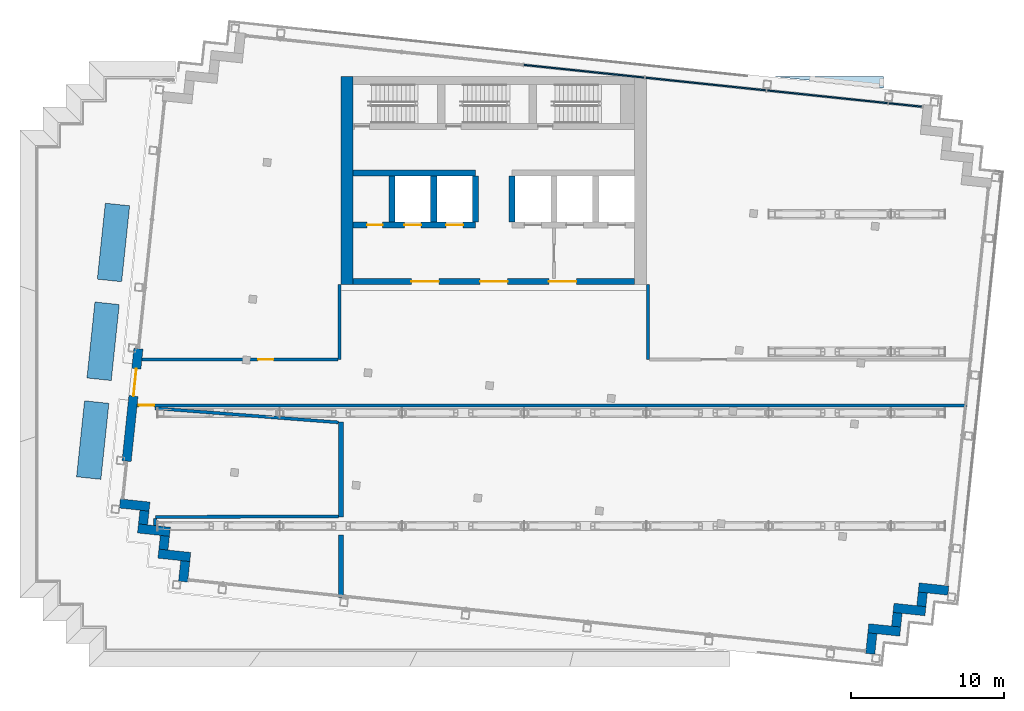
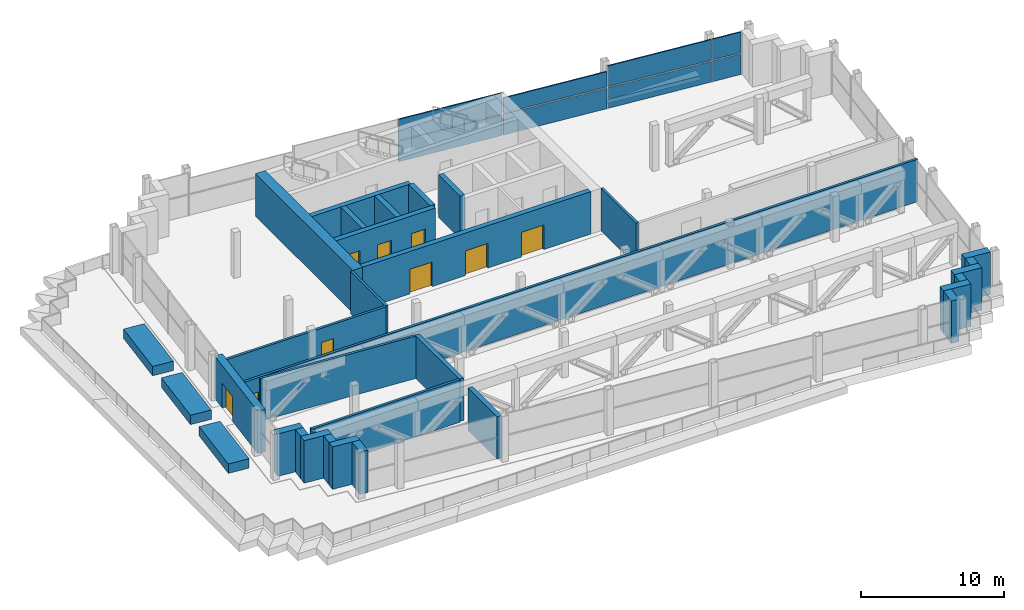
# One storey, part 7 of 18: 33 walls, 9 doors, 8 plates, 1 slab, 9 openings, 1 element without a shape of its own.
"""IFC4 building model written with IfcOpenShell, lengths in metres."""

from ifc_helpers import new_model, si_unit, direction, frame, frame_2d, origin, origin_2d, place, context, subcontext, project, spatial, polyline, rectangle, outline, extrude, material, layer, layer_set, type_object, element, fill, aggregate, save


model = new_model("IFC4")

# Units and contexts
model_context = context("Model", 3, precision=1e-05, world=origin(), true_north=direction((0.0, 1.0)))
body_context = subcontext(model_context, "Body", "Model", "MODEL_VIEW")
ifc_project = project(units=[si_unit("LENGTHUNIT", "METRE"), si_unit("AREAUNIT", "SQUARE_METRE"), si_unit("VOLUMEUNIT", "CUBIC_METRE"), si_unit("PLANEANGLEUNIT", "RADIAN"), si_unit("MASSUNIT", "GRAM", prefix="KILO")], contexts=[model_context])

# Site, building, storey
site_placement = place(None, origin())
site = spatial("IfcSite", under=ifc_project, at=site_placement, CompositionType="ELEMENT")
building_placement = place(site_placement, origin())
building = spatial("IfcBuilding", under=site, at=building_placement, Name="Vidyagriha Tower", CompositionType="ELEMENT")
storey_placement = place(building_placement, frame((0.0, 0.0, 249.199951171875)))
storey = spatial("IfcBuildingStorey", under=building, at=storey_placement, Name="L64", CompositionType="ELEMENT", Elevation=249.199951171875)

# Curtain wall, plates
ifc_material_1 = material(Name="Aluminium and glass curtain wall", Category="aluminium")
curtain_wall_type = type_object("IfcCurtainWallType", Name="Plant louvre wall", PredefinedType="USERDEFINED", material=ifc_material_1)
curtain_wall_placement = place(storey_placement, origin())
curtain_wall = element("IfcCurtainWall", 1, at=curtain_wall_placement, inside=storey, type_object=curtain_wall_type, Name="CW7 plant louvre wall", ObjectType="STICK GLAZING", PredefinedType="USERDEFINED")
ifc_material_2 = material(Name="Perforated fired clay brick jaali screen", Category="masonry")
ifc_layer_1 = layer(ifc_material_2, 0.10009765625)
ifc_layer_set_1 = layer_set([ifc_layer_1], Name="Perforated fired clay brick jaali screen")
plate_type = type_object("IfcPlateType", Name="Perforated brick jaali screen panel", PredefinedType="CURTAIN_PANEL", material=ifc_layer_set_1)
plate_1_placement = place(storey_placement, frame((26.920166015625, 18.146240234375, 0.0), z_axis=(0.0, 0.0, 1.0), x_axis=(-0.994521854435, 0.104528852722, 0.0)))
plate_1 = element("IfcPlate", 2, at=plate_1_placement, type_object=plate_type, Name="CW7 panel 1.1", PredefinedType="CURTAIN_PANEL", context=body_context, shape_type="SweptSolid", body=[
    extrude(rectangle(XDim=2.179931640625, YDim=0.10009765625, at=origin_2d()), origin(), (0.0, 0.0, 1.0), 1.760009765625),
])
plate_2_placement = place(storey_placement, frame((26.920166015625, 18.146240234375, 1.85986328125), z_axis=(0.0, 0.0, 1.0), x_axis=(-0.994521854435, 0.104528852722, 0.0)))
plate_2 = element("IfcPlate", 3, at=plate_2_placement, type_object=plate_type, Name="CW7 panel 1.2", PredefinedType="CURTAIN_PANEL", context=body_context, shape_type="SweptSolid", body=[
    extrude(rectangle(XDim=2.179931640625, YDim=0.10009765625, at=origin_2d()), origin(), (0.0, 0.0, 1.0), 1.760009765625),
])
plate_3_placement = place(storey_placement, frame((21.818359375, 18.6826171875, 0.0), z_axis=(0.0, 0.0, 1.0), x_axis=(-0.994521854435, 0.104528852722, 0.0)))
plate_3 = element("IfcPlate", 4, at=plate_3_placement, type_object=plate_type, Name="CW7 panel 2.1", PredefinedType="CURTAIN_PANEL", context=body_context, shape_type="SweptSolid", body=[
    extrude(rectangle(XDim=7.919921875, YDim=0.10009765625, at=origin_2d()), origin(), (0.0, 0.0, 1.0), 1.760009765625),
])
plate_4_placement = place(storey_placement, frame((21.818359375, 18.6826171875, 1.85986328125), z_axis=(0.0, 0.0, 1.0), x_axis=(-0.994521854435, 0.104528852722, 0.0)))
plate_4 = element("IfcPlate", 5, at=plate_4_placement, type_object=plate_type, Name="CW7 panel 2.2", PredefinedType="CURTAIN_PANEL", context=body_context, shape_type="SweptSolid", body=[
    extrude(rectangle(XDim=7.919921875, YDim=0.10009765625, at=origin_2d()), origin(), (0.0, 0.0, 1.0), 1.760009765625),
])
plate_5_placement = place(storey_placement, frame((13.862060546875, 19.518798828125, 0.0), z_axis=(0.0, 0.0, 1.0), x_axis=(-0.994521854435, 0.104528852722, 0.0)))
plate_5 = element("IfcPlate", 6, at=plate_5_placement, type_object=plate_type, Name="CW7 panel 3.1", PredefinedType="CURTAIN_PANEL", context=body_context, shape_type="SweptSolid", body=[
    extrude(rectangle(XDim=7.919921875, YDim=0.10009765625, at=origin_2d()), origin(), (0.0, 0.0, 1.0), 1.760009765625),
])
plate_6_placement = place(storey_placement, frame((13.862060546875, 19.518798828125, 1.8603515625), z_axis=(0.0, 0.0, 1.0), x_axis=(-0.994521854435, 0.104528852722, 0.0)))
plate_6 = element("IfcPlate", 7, at=plate_6_placement, type_object=plate_type, Name="CW7 panel 3.2", PredefinedType="CURTAIN_PANEL", context=body_context, shape_type="SweptSolid", body=[
    extrude(rectangle(XDim=7.919921875, YDim=0.10009765625, at=origin_2d()), origin(), (0.0, 0.0, 1.0), 1.297607421875),
])
plate_7_placement = place(storey_placement, frame((5.906005859375, 20.35498046875, 0.0), z_axis=(0.0, 0.0, 1.0), x_axis=(-0.994521854435, 0.104528852722, 0.0)))
plate_7 = element("IfcPlate", 8, at=plate_7_placement, type_object=plate_type, Name="CW7 panel 4.1", PredefinedType="CURTAIN_PANEL", context=body_context, shape_type="SweptSolid", body=[
    extrude(rectangle(XDim=7.919921875, YDim=0.10009765625, at=origin_2d()), origin(), (0.0, 0.0, 1.0), 1.760009765625),
])
plate_8_placement = place(storey_placement, frame((5.906005859375, 20.35498046875, 1.85986328125), z_axis=(0.0, 0.0, 1.0), x_axis=(-0.994521854435, 0.104528852722, 0.0)))
plate_8 = element("IfcPlate", 9, at=plate_8_placement, type_object=plate_type, Name="CW7 panel 4.2", PredefinedType="CURTAIN_PANEL", context=body_context, shape_type="SweptSolid", body=[
    extrude(rectangle(XDim=7.919921875, YDim=0.10009765625, at=origin_2d()), origin(), (0.0, 0.0, 1.0), 1.760009765625),
])
aggregate(curtain_wall, [plate_1, plate_2, plate_3, plate_4, plate_5, plate_6, plate_7, plate_8])

# Slab
ifc_material_3 = material(Name="Concrete C50/60", Category="concrete")
ifc_layer_2 = layer(ifc_material_3, 0.35009765625)
ifc_layer_set_2 = layer_set([ifc_layer_2], Name="Concrete C50/60")
slab_type = type_object("IfcSlabType", Name="Post-tensioned terrace slab 350", PredefinedType="FLOOR", material=ifc_layer_set_2)
slab_placement = place(storey_placement, frame((0.0, 0.0, -0.349853515625)))
element("IfcSlab", 10, at=slab_placement, inside=storey, type_object=slab_type, Name="st-terrace-TR-B6-2", PredefinedType="FLOOR", context=body_context, shape_type="SweptSolid", body=[
    extrude(outline(polyline([(25.5, 19.250732421875), (18.371337890625, 20.0), (25.5, 20.0), (25.5, 19.250732421875)])), origin(), (0.0, 0.0, 1.0), 0.349853515625),
])

# Walls
ifc_material_4 = material(Name="Precast concrete C40/50 with brick facing", Category="concrete")
ifc_layer_3 = layer(ifc_material_4, 1.60009765625)
ifc_layer_set_3 = layer_set([ifc_layer_3], Name="Precast concrete C40/50 with brick facing")
wall_type_1 = type_object("IfcWallType", Name="Brick planter box 1600", PredefinedType="STANDARD", material=ifc_layer_set_3)
wall_1_placement = place(storey_placement, frame((-24.622314453125, 11.63818359375, 0.0), z_axis=(0.0, 0.0, 1.0), x_axis=(-0.104544982588, -0.994520158979, 0.0)))
element("IfcWall", 11, at=wall_1_placement, inside=storey, type_object=wall_type_1, Name="PLANTER L64 1", PredefinedType="STANDARD", context=body_context, shape_type="SweptSolid", body=[
    extrude(rectangle(XDim=4.999755859375, YDim=1.60009765625, at=frame_2d((2.5, 0.0))), origin(), (0.0, 0.0, 1.0), 0.800048828125),
])
for number, where, z_axis, x_axis, name in (
    (12, (-25.302001953125, 5.174072265625, 0.0), (0.0, 0.0, 1.0), (-0.104491611519, -0.994525767953, 0.0), "PLANTER L64 2"),
    (13, (-25.981201171875, -1.290283203125, 0.0), (0.0, 0.0, 1.0), (-0.104539905878, -0.994520692635, 0.0), "PLANTER L64 3"),
):
    element("IfcWall", number, at=place(storey_placement, frame(where, z_axis=z_axis, x_axis=x_axis)), inside=storey, type_object=wall_type_1, Name=name, PredefinedType="STANDARD", context=body_context, shape_type="SweptSolid", body=[
        extrude(rectangle(XDim=5.0, YDim=1.60009765625, at=frame_2d((2.5, 0.0))), origin(), (0.0, 0.0, 1.0), 0.800048828125),
    ])

# Wall, opening, door
ifc_material_5 = material(Name="Precast concrete C40/50 with brick facing", Category="concrete")
ifc_layer_4 = layer(ifc_material_5, 0.60009765625)
ifc_layer_set_4 = layer_set([ifc_layer_4], Name="Precast concrete C40/50 with brick facing")
wall_type_2 = type_object("IfcWallType", Name="Brick-faced precast wall 600", PredefinedType="STANDARD", material=ifc_layer_set_4)
wall_2_placement = place(storey_placement, frame((-23.251220703125, 2.203369140625, 0.0), z_axis=(0.0, 0.0, 1.0), x_axis=(-0.104516482125, -0.994523154564, 0.0)))
wall_2 = element("IfcWall", 14, at=wall_2_placement, inside=storey, type_object=wall_type_2, Name="Brick door bay wall L64 R14.5", PredefinedType="STANDARD", context=body_context, shape_type="SweptSolid", body=[
    extrude(rectangle(XDim=7.400146484375, YDim=0.60009765625, at=frame_2d((3.7001953125, 0.0))), origin(), (0.0, 0.0, 1.0), 3.6201171875),
])
opening_1_placement = place(wall_2_placement, frame((1.3154296875, 0.0, 0.0)))
opening_1 = element("IfcOpeningElement", 15, at=opening_1_placement, cuts=wall_2, Name="Opening D64-01", PredefinedType="OPENING", context=body_context, shape_type="SweptSolid", body=[
    extrude(rectangle(XDim=1.800048828125, YDim=2.10009765625, at=frame_2d((0.89990234375, 1.050048828125))), frame((0.0, 0.31005859375, 0.0), z_axis=(0.0, -1.0, 0.0), x_axis=(1.0, 0.0, 0.0)), (0.0, 0.0, 1.0), 0.6201171875),
])
ifc_material_6 = material(Name="Aluminium and glass door", Category="aluminium")
door_type_1 = type_object("IfcDoorType", Name="Entrance double leaf glazed door 1800x2100", OperationType="NOTDEFINED", PredefinedType="DOOR", material=ifc_material_6)
door_1_placement = place(opening_1_placement, frame((1.800048828125, 0.0, 0.0), z_axis=(0.0, 0.0, 1.0), x_axis=(-1.0, 0.0, 0.0)))
door_1 = element("IfcDoor", 16, at=door_1_placement, inside=storey, type_object=door_type_1, Name="Deck door D64-01", OperationType="DOUBLE_DOOR_SINGLE_SWING", OverallHeight=2.10009765625, OverallWidth=1.800048828125, PredefinedType="DOOR", context=body_context, shape_type="SweptSolid", body=[
    extrude(rectangle(XDim=1.800048828125, YDim=2.10009765625, at=frame_2d((0.89990234375, 1.050048828125))), frame((0.0, 0.02490234375, 0.0), z_axis=(0.0, -1.0, 0.0), x_axis=(1.0, 0.0, 0.0)), (0.0, 0.0, 1.0), 0.050048828125),
])
fill(opening_1, door_1)

# Walls
wall_3_placement = place(storey_placement, frame((-24.466552734375, -7.92529296875, 0.0), z_axis=(0.0, 0.0, 1.0), x_axis=(0.994521219184, -0.104534896528, 0.0)))
element("IfcWall", 17, at=wall_3_placement, inside=storey, type_object=wall_type_2, Name="Stepped corner wall L64 R15", PredefinedType="STANDARD", context=body_context, shape_type="SweptSolid", body=[
    extrude(rectangle(XDim=1.9501953125, YDim=0.60009765625, at=frame_2d((0.97509765625, 0.0))), origin(), (0.0, 0.0, 1.0), 3.6201171875),
])
wall_4_placement = place(storey_placement, frame((-22.85693359375, -8.39599609375, 0.0), z_axis=(0.0, 0.0, 1.0), x_axis=(-0.104444712852, -0.994530694326, 0.0)))
element("IfcWall", 18, at=wall_4_placement, inside=storey, type_object=wall_type_2, Name="Stepped corner wall L64 R16", PredefinedType="STANDARD", context=body_context, shape_type="SweptSolid", body=[
    extrude(rectangle(XDim=0.89990234375, YDim=0.60009765625, at=frame_2d((0.449951171875, 0.0))), origin(), (0.0, 0.0, 1.0), 3.6201171875),
])
wall_5_placement = place(storey_placement, frame((-23.28076171875, -9.55810546875, 0.0), z_axis=(0.0, 0.0, 1.0), x_axis=(0.994523910136, -0.104509292252, 0.0)))
element("IfcWall", 19, at=wall_5_placement, inside=storey, type_object=wall_type_2, Name="Stepped corner wall L64 R17", PredefinedType="STANDARD", context=body_context, shape_type="SweptSolid", body=[
    extrude(rectangle(XDim=2.10009765625, YDim=0.60009765625, at=frame_2d((1.050048828125, 0.0))), origin(), (0.0, 0.0, 1.0), 3.6201171875),
])
wall_6_placement = place(storey_placement, frame((-21.52197265625, -10.04443359375, 0.0), z_axis=(0.0, 0.0, 1.0), x_axis=(-0.104416541099, -0.994533652495, 0.0)))
element("IfcWall", 20, at=wall_6_placement, inside=storey, type_object=wall_type_2, Name="Stepped corner wall L64 R18", PredefinedType="STANDARD", context=body_context, shape_type="SweptSolid", body=[
    extrude(rectangle(XDim=0.900146484375, YDim=0.60009765625, at=frame_2d((0.4501953125, 0.0))), origin(), (0.0, 0.0, 1.0), 3.6201171875),
])
wall_7_placement = place(storey_placement, frame((-21.94580078125, -11.20654296875, 0.0), z_axis=(0.0, 0.0, 1.0), x_axis=(0.994511820899, -0.104624271047, 0.0)))
element("IfcWall", 21, at=wall_7_placement, inside=storey, type_object=wall_type_2, Name="Stepped corner wall L64 R19", PredefinedType="STANDARD", context=body_context, shape_type="SweptSolid", body=[
    extrude(rectangle(XDim=2.10009765625, YDim=0.60009765625, at=frame_2d((1.050048828125, 0.0))), origin(), (0.0, 0.0, 1.0), 3.6201171875),
])
wall_8_placement = place(storey_placement, frame((-20.18701171875, -11.693115234375, 0.0), z_axis=(0.0, 0.0, 1.0), x_axis=(-0.1043365026, -0.994542052517, 0.0)))
element("IfcWall", 22, at=wall_8_placement, inside=storey, type_object=wall_type_2, Name="Stepped corner wall L64 R20", PredefinedType="STANDARD", context=body_context, shape_type="SweptSolid", body=[
    extrude(rectangle(XDim=1.35009765625, YDim=0.60009765625, at=frame_2d((0.675048828125, 0.0))), origin(), (0.0, 0.0, 1.0), 3.6201171875),
])
wall_9_placement = place(storey_placement, frame((24.62451171875, -17.760498046875, 0.0), z_axis=(0.0, 0.0, 1.0), x_axis=(0.104355269718, 0.994540083497, 0.0)))
element("IfcWall", 23, at=wall_9_placement, inside=storey, type_object=wall_type_2, Name="Stepped corner wall L64 R22", PredefinedType="STANDARD", context=body_context, shape_type="SweptSolid", body=[
    extrude(rectangle(XDim=1.349853515625, YDim=0.60009765625, at=frame_2d((0.6748046875, 0.0))), origin(), (0.0, 0.0, 1.0), 3.6201171875),
])
wall_10_placement = place(storey_placement, frame((24.49853515625, -16.088134765625, 0.0), z_axis=(0.0, 0.0, 1.0), x_axis=(0.994522640205, -0.104521376379, 0.0)))
element("IfcWall", 24, at=wall_10_placement, inside=storey, type_object=wall_type_2, Name="Stepped corner wall L64 R23", PredefinedType="STANDARD", context=body_context, shape_type="SweptSolid", body=[
    extrude(rectangle(XDim=2.099853515625, YDim=0.60009765625, at=frame_2d((1.0498046875, 0.0))), origin(), (0.0, 0.0, 1.0), 3.6201171875),
])
wall_11_placement = place(storey_placement, frame((26.320068359375, -15.97802734375, 0.0), z_axis=(0.0, 0.0, 1.0), x_axis=(0.104444712852, 0.994530694326, 0.0)))
element("IfcWall", 25, at=wall_11_placement, inside=storey, type_object=wall_type_2, Name="Stepped corner wall L64 R24", PredefinedType="STANDARD", context=body_context, shape_type="SweptSolid", body=[
    extrude(rectangle(XDim=0.89990234375, YDim=0.60009765625, at=frame_2d((0.449951171875, 0.0))), origin(), (0.0, 0.0, 1.0), 3.6201171875),
])
wall_12_placement = place(storey_placement, frame((26.147216796875, -14.753173828125, 0.0), z_axis=(0.0, 0.0, 1.0), x_axis=(0.994522640205, -0.104521376379, 0.0)))
element("IfcWall", 26, at=wall_12_placement, inside=storey, type_object=wall_type_2, Name="Stepped corner wall L64 R25", PredefinedType="STANDARD", context=body_context, shape_type="SweptSolid", body=[
    extrude(rectangle(XDim=2.099853515625, YDim=0.60009765625, at=frame_2d((1.0498046875, 0.0))), origin(), (0.0, 0.0, 1.0), 3.6201171875),
])
wall_13_placement = place(storey_placement, frame((27.968505859375, -14.64306640625, 0.0), z_axis=(0.0, 0.0, 1.0), x_axis=(0.104416541099, 0.994533652495, 0.0)))
element("IfcWall", 27, at=wall_13_placement, inside=storey, type_object=wall_type_2, Name="Stepped corner wall L64 R26", PredefinedType="STANDARD", context=body_context, shape_type="SweptSolid", body=[
    extrude(rectangle(XDim=0.900146484375, YDim=0.60009765625, at=frame_2d((0.4501953125, 0.0))), origin(), (0.0, 0.0, 1.0), 3.6201171875),
])
wall_14_placement = place(storey_placement, frame((27.795654296875, -13.418212890625, 0.0), z_axis=(0.0, 0.0, 1.0), x_axis=(0.994519850893, -0.104547913319, 0.0)))
element("IfcWall", 28, at=wall_14_placement, inside=storey, type_object=wall_type_2, Name="Stepped corner wall L64 R27", PredefinedType="STANDARD", context=body_context, shape_type="SweptSolid", body=[
    extrude(rectangle(XDim=1.949951171875, YDim=0.60009765625, at=frame_2d((0.97509765625, 0.0))), origin(), (0.0, 0.0, 1.0), 3.6201171875),
])

# Wall, openings, doors
ifc_material_7 = material(Name="Concrete C60/75", Category="concrete")
ifc_layer_5 = layer(ifc_material_7, 0.39990234375)
ifc_layer_set_5 = layer_set([ifc_layer_5], Name="Concrete C60/75")
wall_type_3 = type_object("IfcWallType", Name="Core shear wall 400 mm", PredefinedType="SHEAR", material=ifc_layer_set_5)
wall_15_placement = place(storey_placement, frame((-9.199951171875, 6.60009765625, 0.0)))
wall_15 = element("IfcWall", 29, at=wall_15_placement, inside=storey, type_object=wall_type_3, Name="Core south wall", PredefinedType="SHEAR", context=body_context, shape_type="SweptSolid", body=[
    extrude(rectangle(XDim=18.39990234375, YDim=0.39990234375, at=frame_2d((9.199951171875, 0.0))), origin(), (0.0, 0.0, 1.0), 3.6201171875),
])
opening_2_placement = place(wall_15_placement, frame((8.300048828125, 0.0, 0.0)))
opening_2 = element("IfcOpeningElement", 30, at=opening_2_placement, cuts=wall_15, Name="Opening D64-02", PredefinedType="OPENING", context=body_context, shape_type="SweptSolid", body=[
    extrude(rectangle(XDim=1.800048828125, YDim=2.10009765625, at=frame_2d((0.89990234375, 1.050048828125))), frame((0.0, 0.2099609375, 0.0), z_axis=(0.0, -1.0, 0.0), x_axis=(1.0, 0.0, 0.0)), (0.0, 0.0, 1.0), 0.419921875),
])
opening_3_placement = place(wall_15_placement, frame((3.800048828125, 0.0, 0.0)))
opening_3 = element("IfcOpeningElement", 31, at=opening_3_placement, cuts=wall_15, Name="Opening D64-03", PredefinedType="OPENING", context=body_context, shape_type="SweptSolid", body=[
    extrude(rectangle(XDim=1.800048828125, YDim=2.10009765625, at=frame_2d((0.89990234375, 1.050048828125))), frame((0.0, 0.2099609375, 0.0), z_axis=(0.0, -1.0, 0.0), x_axis=(1.0, 0.0, 0.0)), (0.0, 0.0, 1.0), 0.419921875),
])
opening_4_placement = place(wall_15_placement, frame((12.800048828125, 0.0, 0.0)))
opening_4 = element("IfcOpeningElement", 32, at=opening_4_placement, cuts=wall_15, Name="Opening D64-04", PredefinedType="OPENING", context=body_context, shape_type="SweptSolid", body=[
    extrude(rectangle(XDim=1.800048828125, YDim=2.10009765625, at=frame_2d((0.89990234375, 1.050048828125))), frame((0.0, 0.2099609375, 0.0), z_axis=(0.0, -1.0, 0.0), x_axis=(1.0, 0.0, 0.0)), (0.0, 0.0, 1.0), 0.419921875),
])
ifc_material_8 = material(Name="Hollow metal door leaf")
door_type_2 = type_object("IfcDoorType", Name="Core lobby double door 1800 x 2100 mm EI 60", OperationType="NOTDEFINED", PredefinedType="DOOR", material=ifc_material_8)
door_2_placement = place(opening_2_placement, frame((1.800048828125, 0.0, 0.0), z_axis=(0.0, 0.0, 1.0), x_axis=(-1.0, 0.0, 0.0)))
door_2 = element("IfcDoor", 33, at=door_2_placement, inside=storey, type_object=door_type_2, Name="Core entrance door L64", OperationType="DOUBLE_DOOR_SINGLE_SWING", OverallHeight=2.10009765625, OverallWidth=1.800048828125, PredefinedType="DOOR", context=body_context, shape_type="SweptSolid", body=[
    extrude(rectangle(XDim=1.800048828125, YDim=2.10009765625, at=frame_2d((0.89990234375, 1.050048828125))), frame((0.0, 0.02490234375, 0.0), z_axis=(0.0, -1.0, 0.0), x_axis=(1.0, 0.0, 0.0)), (0.0, 0.0, 1.0), 0.050048828125),
])
fill(opening_2, door_2)
door_3_placement = place(opening_3_placement, frame((1.800048828125, 0.0, 0.0), z_axis=(0.0, 0.0, 1.0), x_axis=(-1.0, 0.0, 0.0)))
door_3 = element("IfcDoor", 34, at=door_3_placement, inside=storey, type_object=door_type_2, Name="Core entrance door west L64", OperationType="DOUBLE_DOOR_SINGLE_SWING", OverallHeight=2.10009765625, OverallWidth=1.800048828125, PredefinedType="DOOR", context=body_context, shape_type="SweptSolid", body=[
    extrude(rectangle(XDim=1.800048828125, YDim=2.10009765625, at=frame_2d((0.89990234375, 1.050048828125))), frame((0.0, 0.02490234375, 0.0), z_axis=(0.0, -1.0, 0.0), x_axis=(1.0, 0.0, 0.0)), (0.0, 0.0, 1.0), 0.050048828125),
])
fill(opening_3, door_3)
door_4_placement = place(opening_4_placement, frame((1.800048828125, 0.0, 0.0), z_axis=(0.0, 0.0, 1.0), x_axis=(-1.0, 0.0, 0.0)))
door_4 = element("IfcDoor", 35, at=door_4_placement, inside=storey, type_object=door_type_2, Name="Core entrance door east L64", OperationType="DOUBLE_DOOR_SINGLE_SWING", OverallHeight=2.10009765625, OverallWidth=1.800048828125, PredefinedType="DOOR", context=body_context, shape_type="SweptSolid", body=[
    extrude(rectangle(XDim=1.800048828125, YDim=2.10009765625, at=frame_2d((0.89990234375, 1.050048828125))), frame((0.0, 0.02490234375, 0.0), z_axis=(0.0, -1.0, 0.0), x_axis=(1.0, 0.0, 0.0)), (0.0, 0.0, 1.0), 0.050048828125),
])
fill(opening_4, door_4)

wall_16_placement = place(storey_placement, frame((-9.199951171875, 10.300048828125, 0.0)))
wall_16 = element("IfcWall", 36, at=wall_16_placement, inside=storey, type_object=wall_type_3, Name="Core row N front wall", PredefinedType="SHEAR", context=body_context, shape_type="SweptSolid", body=[
    extrude(rectangle(XDim=8.0, YDim=0.39990234375, at=frame_2d((4.0, 0.0))), origin(), (0.0, 0.0, 1.0), 3.6201171875),
])
opening_5_placement = place(wall_16_placement, frame((3.35009765625, 0.0, 0.0)))
opening_5 = element("IfcOpeningElement", 37, at=opening_5_placement, cuts=wall_16, Name="Opening LD64-01", PredefinedType="OPENING", context=body_context, shape_type="SweptSolid", body=[
    extrude(rectangle(XDim=1.10009765625, YDim=2.10009765625, at=frame_2d((0.550048828125, 1.050048828125))), frame((0.0, 0.2099609375, 0.0), z_axis=(0.0, -1.0, 0.0), x_axis=(1.0, 0.0, 0.0)), (0.0, 0.0, 1.0), 0.419921875),
])
opening_6_placement = place(wall_16_placement, frame((6.083251953125, 0.0, 0.0)))
opening_6 = element("IfcOpeningElement", 38, at=opening_6_placement, cuts=wall_16, Name="Opening LD64-02", PredefinedType="OPENING", context=body_context, shape_type="SweptSolid", body=[
    extrude(rectangle(XDim=1.10009765625, YDim=2.10009765625, at=frame_2d((0.550048828125, 1.050048828125))), frame((0.0, 0.2099609375, 0.0), z_axis=(0.0, -1.0, 0.0), x_axis=(1.0, 0.0, 0.0)), (0.0, 0.0, 1.0), 0.419921875),
])
opening_7_placement = place(wall_16_placement, frame((0.916748046875, 0.0, 0.0)))
opening_7 = element("IfcOpeningElement", 39, at=opening_7_placement, cuts=wall_16, Name="Opening D64-05", PredefinedType="OPENING", context=body_context, shape_type="SweptSolid", body=[
    extrude(rectangle(XDim=1.0, YDim=2.10009765625, at=frame_2d((0.5, 1.050048828125))), frame((0.0, 0.2099609375, 0.0), z_axis=(0.0, -1.0, 0.0), x_axis=(1.0, 0.0, 0.0)), (0.0, 0.0, 1.0), 0.419921875),
])
ifc_material_9 = material(Name="Hollow metal door leaf")
door_type_3 = type_object("IfcDoorType", Name="Core room door 1000 x 2100 mm EI 60", OperationType="NOTDEFINED", PredefinedType="DOOR", material=ifc_material_9)
door_5_placement = place(opening_7_placement, frame((1.0, 0.0, 0.0), z_axis=(0.0, 0.0, 1.0), x_axis=(-1.0, 0.0, 0.0)))
door_5 = element("IfcDoor", 40, at=door_5_placement, inside=storey, type_object=door_type_3, Name="Door Electrical Room 64.14", OperationType="SINGLE_SWING_RIGHT", OverallHeight=2.10009765625, OverallWidth=1.0, PredefinedType="DOOR", context=body_context, shape_type="SweptSolid", body=[
    extrude(rectangle(XDim=1.0, YDim=2.10009765625, at=frame_2d((0.5, 1.050048828125))), frame((0.0, 0.02490234375, 0.0), z_axis=(0.0, -1.0, 0.0), x_axis=(1.0, 0.0, 0.0)), (0.0, 0.0, 1.0), 0.050048828125),
])
fill(opening_7, door_5)
ifc_material_10 = material(Name="Stainless steel sliding door panel", Category="steel")
door_type_4 = type_object("IfcDoorType", Name="Lift landing door 1100 x 2100 mm EI 90", OperationType="NOTDEFINED", PredefinedType="DOOR", material=ifc_material_10)
door_6_placement = place(opening_5_placement, origin())
door_6 = element("IfcDoor", 41, at=door_6_placement, inside=storey, type_object=door_type_4, Name="Landing door HR1 L64", OperationType="SLIDING_TO_LEFT", OverallHeight=2.10009765625, OverallWidth=1.10009765625, PredefinedType="DOOR", context=body_context, shape_type="SweptSolid", body=[
    extrude(rectangle(XDim=1.10009765625, YDim=2.10009765625, at=frame_2d((0.550048828125, 1.050048828125))), frame((0.0, 0.02490234375, 0.0), z_axis=(0.0, -1.0, 0.0), x_axis=(1.0, 0.0, 0.0)), (0.0, 0.0, 1.0), 0.050048828125),
])
fill(opening_5, door_6)
door_7_placement = place(opening_6_placement, origin())
door_7 = element("IfcDoor", 42, at=door_7_placement, inside=storey, type_object=door_type_4, Name="Landing door HR2 L64", OperationType="SLIDING_TO_LEFT", OverallHeight=2.10009765625, OverallWidth=1.10009765625, PredefinedType="DOOR", context=body_context, shape_type="SweptSolid", body=[
    extrude(rectangle(XDim=1.10009765625, YDim=2.10009765625, at=frame_2d((0.550048828125, 1.050048828125))), frame((0.0, 0.02490234375, 0.0), z_axis=(0.0, -1.0, 0.0), x_axis=(1.0, 0.0, 0.0)), (0.0, 0.0, 1.0), 0.050048828125),
])
fill(opening_6, door_7)

# Walls
wall_17_placement = place(storey_placement, frame((-9.199951171875, 13.699951171875, 0.0)))
element("IfcWall", 43, at=wall_17_placement, inside=storey, type_object=wall_type_3, Name="Core row N rear wall", PredefinedType="SHEAR", context=body_context, shape_type="SweptSolid", body=[
    extrude(rectangle(XDim=8.0, YDim=0.39990234375, at=frame_2d((4.0, 0.0))), origin(), (0.0, 0.0, 1.0), 3.6201171875),
])
for number, where, z_axis, x_axis, name in (
    (44, (-6.666748046875, 10.5, 0.0), (0.0, 0.0, 1.0), (0.0, 1.0, 0.0), "Core bay wall N1"),
    (45, (-3.933349609375, 10.5, 0.0), (0.0, 0.0, 1.0), (0.0, 1.0, 0.0), "Core bay wall N2"),
    (46, (-1.199951171875, 10.5, 0.0), (0.0, 0.0, 1.0), (0.0, 1.0, 0.0), "Core bay wall N3"),
    (47, (1.199951171875, 10.5, 0.0), (0.0, 0.0, 1.0), (0.0, 1.0, 0.0), "Core bay wall N4"),
):
    element("IfcWall", number, at=place(storey_placement, frame(where, z_axis=z_axis, x_axis=x_axis)), inside=storey, type_object=wall_type_3, Name=name, PredefinedType="SHEAR", context=body_context, shape_type="SweptSolid", body=[
        extrude(rectangle(XDim=3.0, YDim=0.39990234375, at=frame_2d((1.5, 0.0))), origin(), (0.0, 0.0, 1.0), 3.6201171875),
    ])
ifc_material_11 = material(Name="Concrete C60/75", Category="concrete")
ifc_layer_6 = layer(ifc_material_11, 0.800048828125)
ifc_layer_set_6 = layer_set([ifc_layer_6], Name="Concrete C60/75")
wall_type_4 = type_object("IfcWallType", Name="Core shear wall 800 mm", PredefinedType="SHEAR", material=ifc_layer_set_6)
wall_18_placement = place(storey_placement, frame((-9.60009765625, 6.39990234375, 0.0), z_axis=(0.0, 0.0, 1.0), x_axis=(0.0, 1.0, 0.0)))
element("IfcWall", 48, at=wall_18_placement, inside=storey, type_object=wall_type_4, Name="Core west wall", PredefinedType="SHEAR", context=body_context, shape_type="SweptSolid", body=[
    extrude(rectangle(XDim=13.60009765625, YDim=0.800048828125, at=frame_2d((6.800048828125, 0.0))), origin(), (0.0, 0.0, 1.0), 3.6201171875),
])

# Wall, opening, door
ifc_material_12 = material(Name="Blockwork 15 MPa", Category="masonry")
ifc_layer_7 = layer(ifc_material_12, 0.199951171875)
ifc_layer_set_7 = layer_set([ifc_layer_7], Name="Blockwork 15 MPa")
wall_type_5 = type_object("IfcWallType", Name="Service room partition 200 mm", PredefinedType="PARTITIONING", material=ifc_layer_set_7)
wall_19_placement = place(storey_placement, frame((-23.330810546875, -1.5, 0.0)))
wall_19 = element("IfcWall", 49, at=wall_19_placement, inside=storey, type_object=wall_type_5, Name="Plant corridor south wall", PredefinedType="PARTITIONING", context=body_context, shape_type="SweptSolid", body=[
    extrude(rectangle(XDim=54.28955078125, YDim=0.199951171875, at=frame_2d((27.144775390625, 0.0))), origin(), (0.0, 0.0, 1.0), 3.6201171875),
])
opening_8_placement = place(wall_19_placement, frame((0.10009765625, 0.0, 0.0)))
opening_8 = element("IfcOpeningElement", 50, at=opening_8_placement, cuts=wall_19, Name="Opening D64-10", PredefinedType="OPENING", context=body_context, shape_type="SweptSolid", body=[
    extrude(rectangle(XDim=1.0, YDim=2.39990234375, at=frame_2d((0.5, 1.199951171875))), frame((0.0, 0.10986328125, 0.0), z_axis=(0.0, -1.0, 0.0), x_axis=(1.0, 0.0, 0.0)), (0.0, 0.0, 1.0), 0.219970703125),
])
ifc_material_13 = material(Name="Hollow metal door leaf")
door_type_5 = type_object("IfcDoorType", Name="Electrical room door 1000 x 2400 mm EI 90", OperationType="NOTDEFINED", PredefinedType="DOOR", material=ifc_material_13)
door_8_placement = place(opening_8_placement, origin())
door_8 = element("IfcDoor", 51, at=door_8_placement, inside=storey, type_object=door_type_5, Name="Door Switchgear Room 64.01", OperationType="SINGLE_SWING_LEFT", OverallHeight=2.39990234375, OverallWidth=1.0, PredefinedType="DOOR", context=body_context, shape_type="SweptSolid", body=[
    extrude(rectangle(XDim=1.0, YDim=2.39990234375, at=frame_2d((0.5, 1.199951171875))), frame((0.0, 0.02490234375, 0.0), z_axis=(0.0, -1.0, 0.0), x_axis=(1.0, 0.0, 0.0)), (0.0, 0.0, 1.0), 0.050048828125),
])
fill(opening_8, door_8)

wall_20_placement = place(storey_placement, frame((-23.015625, 1.5, 0.0)))
wall_20 = element("IfcWall", 52, at=wall_20_placement, inside=storey, type_object=wall_type_5, Name="Plant corridor north wall west", PredefinedType="PARTITIONING", context=body_context, shape_type="SweptSolid", body=[
    extrude(rectangle(XDim=12.815673828125, YDim=0.199951171875, at=frame_2d((6.40771484375, 0.0))), origin(), (0.0, 0.0, 1.0), 3.6201171875),
])
opening_9_placement = place(wall_20_placement, frame((7.590087890625, 0.0, 0.0)))
opening_9 = element("IfcOpeningElement", 53, at=opening_9_placement, cuts=wall_20, Name="Opening D64-11", PredefinedType="OPENING", context=body_context, shape_type="SweptSolid", body=[
    extrude(rectangle(XDim=1.0, YDim=2.39990234375, at=frame_2d((0.5, 1.199951171875))), frame((0.0, 0.10986328125, 0.0), z_axis=(0.0, -1.0, 0.0), x_axis=(1.0, 0.0, 0.0)), (0.0, 0.0, 1.0), 0.219970703125),
])
door_9_placement = place(opening_9_placement, frame((1.0, 0.0, 0.0), z_axis=(0.0, 0.0, 1.0), x_axis=(-1.0, 0.0, 0.0)))
door_9 = element("IfcDoor", 54, at=door_9_placement, inside=storey, type_object=door_type_5, Name="Door Transformer Room 64.W1", OperationType="SINGLE_SWING_RIGHT", OverallHeight=2.39990234375, OverallWidth=1.0, PredefinedType="DOOR", context=body_context, shape_type="SweptSolid", body=[
    extrude(rectangle(XDim=1.0, YDim=2.39990234375, at=frame_2d((0.5, 1.199951171875))), frame((0.0, 0.02490234375, 0.0), z_axis=(0.0, -1.0, 0.0), x_axis=(1.0, 0.0, 0.0)), (0.0, 0.0, 1.0), 0.050048828125),
])
fill(opening_9, door_9)

# Walls
for number, where, z_axis, x_axis, name in (
    (55, (-10.10009765625, 1.5, 0.0), (0.0, 0.0, 1.0), (0.0, 1.0, 0.0), "Lift hall west return wall"),
    (56, (10.10009765625, 1.5, 0.0), (0.0, 0.0, 1.0), (0.0, 1.0, 0.0), "Lift hall east return wall"),
):
    element("IfcWall", number, at=place(storey_placement, frame(where, z_axis=z_axis, x_axis=x_axis)), inside=storey, type_object=wall_type_5, Name=name, PredefinedType="PARTITIONING", context=body_context, shape_type="SweptSolid", body=[
        extrude(rectangle(XDim=4.89990234375, YDim=0.199951171875, at=frame_2d((2.449951171875, 0.0))), origin(), (0.0, 0.0, 1.0), 3.6201171875),
    ])
wall_21_placement = place(storey_placement, frame((-22.1611328125, -9.35986328125, 0.0), z_axis=(0.0, 0.0, 1.0), x_axis=(0.019635279588, 0.999807209314, 0.0)))
element("IfcWall", 57, at=wall_21_placement, inside=storey, type_object=wall_type_5, Name="Plant room wall", PredefinedType="PARTITIONING", context=body_context, shape_type="SweptSolid", body=[
    extrude(rectangle(XDim=0.4599609375, YDim=0.199951171875, at=frame_2d((0.22998046875, 0.0))), origin(), (0.0, 0.0, 1.0), 3.6201171875),
])
wall_22_placement = place(storey_placement, frame((-22.159912109375, -1.696044921875, 0.0), z_axis=(0.0, 0.0, 1.0), x_axis=(0.997040730071, -0.076875110273, 0.0)))
element("IfcWall", 58, at=wall_22_placement, inside=storey, type_object=wall_type_5, Name="Plant room wall", PredefinedType="PARTITIONING", context=body_context, shape_type="SweptSolid", body=[
    extrude(rectangle(XDim=12.0205078125, YDim=0.199951171875, at=frame_2d((6.01025390625, 0.0))), origin(), (0.0, 0.0, 1.0), 3.6201171875),
])
wall_23_placement = place(storey_placement, frame((-22.14990234375, -8.800048828125, 0.0), z_axis=(0.0, 0.0, 1.0), x_axis=(0.999998602549, 0.001671795254, 0.0)))
element("IfcWall", 59, at=wall_23_placement, inside=storey, type_object=wall_type_5, Name="Plant room wall", PredefinedType="PARTITIONING", context=body_context, shape_type="SweptSolid", body=[
    extrude(rectangle(XDim=11.974853515625, YDim=0.199951171875, at=frame_2d((5.9873046875, 0.0))), origin(), (0.0, 0.0, 1.0), 3.6201171875),
])
ifc_material_14 = material(Name="Blockwork 15 MPa", Category="masonry")
ifc_layer_8 = layer(ifc_material_14, 0.35009765625)
ifc_layer_set_8 = layer_set([ifc_layer_8], Name="Blockwork 15 MPa")
wall_type_6 = type_object("IfcWallType", Name="Service room partition 350 mm", PredefinedType="PARTITIONING", material=ifc_layer_set_8)
wall_24_placement = place(storey_placement, frame((-10.0, -14.071044921875, 0.0), z_axis=(0.0, 0.0, 1.0), x_axis=(0.0, 1.0, 0.0)))
element("IfcWall", 60, at=wall_24_placement, inside=storey, type_object=wall_type_6, Name="Plant room wall", PredefinedType="PARTITIONING", context=body_context, shape_type="SweptSolid", body=[
    extrude(rectangle(XDim=4.071044921875, YDim=0.35009765625, at=frame_2d((2.03564453125, 0.0))), origin(), (0.0, 0.0, 1.0), 3.6201171875),
])
wall_25_placement = place(storey_placement, frame((-10.0, -8.800048828125, 0.0), z_axis=(0.0, 0.0, 1.0), x_axis=(0.0, 1.0, 0.0)))
element("IfcWall", 61, at=wall_25_placement, inside=storey, type_object=wall_type_6, Name="Plant room wall", PredefinedType="PARTITIONING", context=body_context, shape_type="SweptSolid", body=[
    extrude(rectangle(XDim=6.199951171875, YDim=0.35009765625, at=frame_2d((3.10009765625, 0.0))), origin(), (0.0, 0.0, 1.0), 3.6201171875),
])

save(model, "model.ifc")
